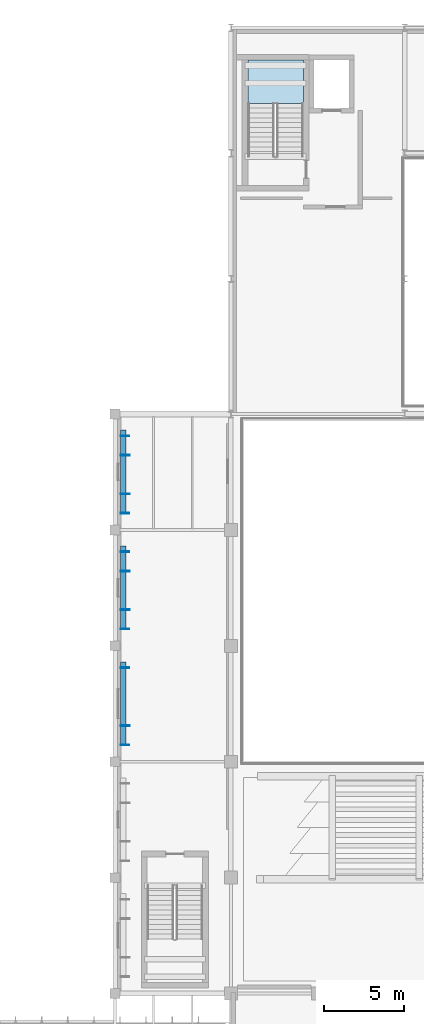
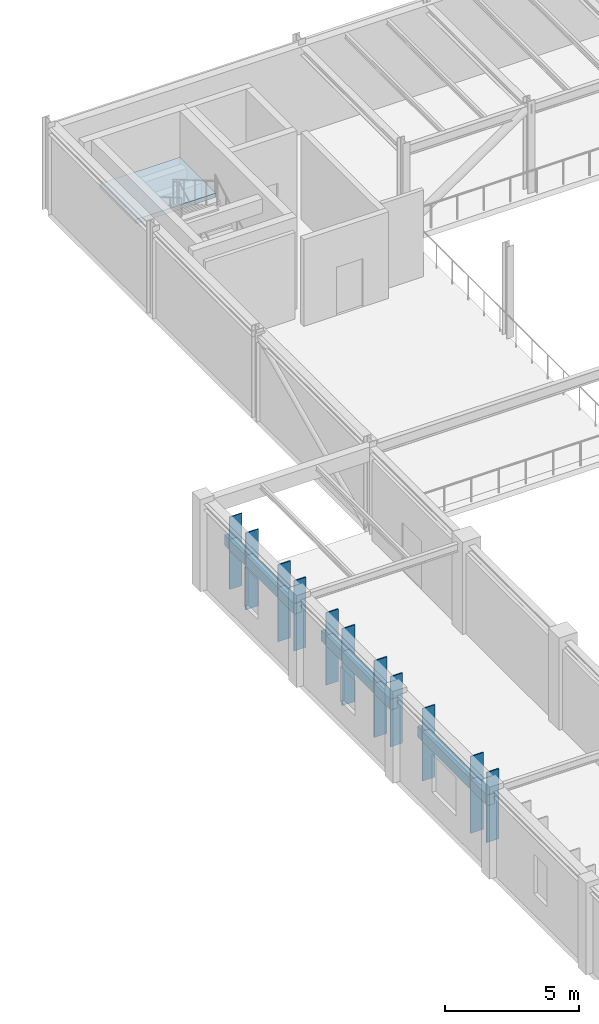
# One storey, part 25 of 104: 14 plates, 1 slab, 1 element without a shape of its own.
"""IFC4 building model written with IfcOpenShell, lengths in metres."""

import ifcopenshell
import ifcopenshell.guid

model = None  # the IFC model being written
_history = None  # IfcOwnerHistory: only IFC2X3 demands one
_inside = {}  # id of a spatial element -> (the spatial element, [elements in it])
_under = {}  # id of a project, library or spatial element -> (it, [spatial elements below it])
_declared = {}  # id of a project -> (the project, [libraries it declares])
_typed = {}  # id of a type object -> (the type object, [elements of that type])
_made_of = {}  # id of a material, layer set ... -> (it, [elements and type objects made of it])


def new_model(schema):
    """Start an empty IFC model of exactly this schema.

    Asked for "IFC4X3", IfcOpenShell would pick the latest addendum, in which some entities
    have other attributes; the version numbers below select the first issue.
    IFC2X3 requires an IfcOwnerHistory on every rooted entity: one is made here for all.
    """
    global model, _history
    if schema == "IFC4X3":
        model = ifcopenshell.file(schema_version=(4, 3, 0, 0))
    else:
        model = ifcopenshell.file(schema=schema)
    _inside.clear()
    _under.clear()
    _declared.clear()
    _typed.clear()
    _made_of.clear()
    _history = None
    if model.schema == "IFC2X3":
        org = make("IfcOrganization", Name="unknown")
        user = make(
            "IfcPersonAndOrganization",
            ThePerson=make("IfcPerson", FamilyName="unknown"),
            TheOrganization=org,
        )
        app = make(
            "IfcApplication",
            ApplicationDeveloper=org,
            Version="unknown",
            ApplicationFullName="unknown",
            ApplicationIdentifier="unknown",
        )
        _history = make(
            "IfcOwnerHistory",
            OwningUser=user,
            OwningApplication=app,
            ChangeAction="ADDED",
            CreationDate=0,
        )
    return model


def make(cls, **values):
    """One entity of the class cls with the attributes given. An attribute that is None is left unset."""
    return model.create_entity(
        cls, **{name: value for name, value in values.items() if value is not None}
    )


def rooted(cls, **values):
    """An entity with a GlobalId (a new one), such as an element, a storey or a relation."""
    return make(cls, GlobalId=ifcopenshell.guid.new(), OwnerHistory=_history, **values)


def si_unit(unit_type, name, prefix=None):
    """IfcSIUnit, for example si_unit("LENGTHUNIT", "METRE", prefix="MILLI")."""
    return make("IfcSIUnit", UnitType=unit_type, Prefix=prefix, Name=name)


def assignment(units):
    """IfcUnitAssignment: the units of a project."""
    return None if units is None else make("IfcUnitAssignment", Units=units)


def point(xyz):
    """IfcCartesianPoint."""
    return None if xyz is None else make("IfcCartesianPoint", Coordinates=xyz)


def direction(xyz):
    """IfcDirection."""
    return None if xyz is None else make("IfcDirection", DirectionRatios=xyz)


def frame(location, z_axis=None, x_axis=None):
    """IfcAxis2Placement3D, a coordinate frame: its origin and axes. An axis left out is left unset."""
    return make(
        "IfcAxis2Placement3D",
        Location=point(location),
        Axis=direction(z_axis),
        RefDirection=direction(x_axis),
    )


def frame_2d(location, x_axis=None):
    """IfcAxis2Placement2D, a coordinate frame in the plane: its origin and x axis."""
    return make(
        "IfcAxis2Placement2D", Location=point(location), RefDirection=direction(x_axis)
    )


def origin():
    """The frame at (0, 0, 0) with its axes left unset."""
    return frame((0.0, 0.0, 0.0))


def origin_2d():
    """The frame at (0, 0) in the plane with its x axis left unset."""
    return frame_2d((0.0, 0.0))


def place(relative_to, where):
    """IfcLocalPlacement: puts the frame where relative to a parent placement (None: the world)."""
    return make(
        "IfcLocalPlacement", PlacementRelTo=relative_to, RelativePlacement=where
    )


def context(
    kind, dimensions, precision=None, world=None, true_north=None, identifier=None
):
    """IfcGeometricRepresentationContext, for example the 3D "Model" context."""
    return make(
        "IfcGeometricRepresentationContext",
        ContextIdentifier=identifier,
        ContextType=kind,
        CoordinateSpaceDimension=dimensions,
        Precision=precision,
        WorldCoordinateSystem=world,
        TrueNorth=true_north,
    )


def subcontext(parent, identifier, kind, view, scale=None):
    """IfcGeometricRepresentationSubContext, for example "Body" below "Model"."""
    return make(
        "IfcGeometricRepresentationSubContext",
        ContextIdentifier=identifier,
        ContextType=kind,
        ParentContext=parent,
        TargetScale=scale,
        TargetView=view,
    )


def project(units=None, contexts=None):
    """IfcProject with its units and contexts."""
    return rooted(
        "IfcProject",
        Name="project",
        RepresentationContexts=contexts,
        UnitsInContext=assignment(units),
    )


def spatial(cls, under=None, at=None, **own):
    """A site, building, storey or space (cls), placed at a placement, below another one or the project."""
    s = rooted(cls, ObjectPlacement=at, **own)
    if under is not None:
        _under.setdefault(under.id(), (under, []))[1].append(s)
    return s


def polyline(points):
    """IfcPolyline through the points."""
    return make("IfcPolyline", Points=[point(p) for p in points])


def profile(cls, at=None, kind="AREA", **sizes):
    """A parametric profile (cls). Its sizes go by their IFC names, for example OverallWidth=200.0."""
    return make(cls, ProfileType=kind, Position=at, **sizes)


def rectangle(**sizes):
    """IfcRectangleProfileDef."""
    return profile("IfcRectangleProfileDef", **sizes)


def outline(outer, holes=None, kind="AREA"):
    """IfcArbitraryClosedProfileDef: a profile drawn as a closed curve; with holes, ...WithVoids."""
    if holes is None:
        return make("IfcArbitraryClosedProfileDef", ProfileType=kind, OuterCurve=outer)
    return make(
        "IfcArbitraryProfileDefWithVoids",
        ProfileType=kind,
        OuterCurve=outer,
        InnerCurves=holes,
    )


def extrude(swept, where, along, depth):
    """IfcExtrudedAreaSolid: the profile swept, set in the frame where, extruded along a direction by depth."""
    return make(
        "IfcExtrudedAreaSolid",
        SweptArea=swept,
        Position=where,
        ExtrudedDirection=direction(along),
        Depth=depth,
    )


def shape(context_of_items, identifier, shape_type, items):
    """IfcShapeRepresentation: the items that make up one representation, for example the "Body"."""
    return make(
        "IfcShapeRepresentation",
        ContextOfItems=context_of_items,
        RepresentationIdentifier=identifier,
        RepresentationType=shape_type,
        Items=items,
    )


def material(Name=None, Category=None):
    """IfcMaterial."""
    return make("IfcMaterial", Name=Name, Category=Category)


def layer(
    of_material, thickness, ventilated=None, Name=None, Category=None, Priority=None
):
    """IfcMaterialLayer: one layer of a wall or slab, of a material (None: an air gap)."""
    return make(
        "IfcMaterialLayer",
        Material=of_material,
        LayerThickness=thickness,
        IsVentilated=ventilated,
        Name=Name,
        Category=Category,
        Priority=Priority,
    )


def layer_set(layers, Name=None):
    """IfcMaterialLayerSet."""
    return make("IfcMaterialLayerSet", MaterialLayers=layers, LayerSetName=Name)


def made_of(thing, what):
    """Note that an element or type object is made of a material, layer set ...; save() writes the relation."""
    if what is not None:
        _made_of.setdefault(what.id(), (what, []))[1].append(thing)
    return thing


def type_object(cls, material=None, **own):
    """A type object (cls), such as IfcWallType, which elements share."""
    return made_of(rooted(cls, **own), material)


def element(
    cls,
    number,
    at=None,
    inside=None,
    cuts=None,
    type_object=None,
    material=None,
    context=None,
    identifier="Body",
    shape_type=None,
    held_by="IfcProductDefinitionShape",
    body=None,
    shapes=None,
    **own,
):
    """One element of the class cls, such as IfcWall. Its Tag is "e" and its number.

    at: its placement. inside: the storey or other place that contains it. cuts: it is an
    opening in that element (IfcRelVoidsElement). A single representation is given by context,
    identifier, shape_type and body (its items); several are given by shapes. held_by: the class
    of the entity that holds the representations. save() writes the other relations.
    """
    e = rooted(cls, Tag="e%d" % number, ObjectPlacement=at, **own)
    if body is not None:
        shapes = [shape(context, identifier, shape_type, body)]
    if shapes is not None:
        e.Representation = make(held_by, Representations=shapes)
    if inside is not None:
        _inside.setdefault(inside.id(), (inside, []))[1].append(e)
    if cuts is not None:
        rooted(
            "IfcRelVoidsElement", RelatingBuildingElement=cuts, RelatedOpeningElement=e
        )
    if type_object is not None:
        _typed.setdefault(type_object.id(), (type_object, []))[1].append(e)
    return made_of(e, material)


def aggregate(whole, parts):
    """IfcRelAggregates: a whole, such as a stair, and the parts it consists of."""
    return rooted("IfcRelAggregates", RelatingObject=whole, RelatedObjects=parts)


def save(model, path):
    """Write the relations noted so far, then the file.

    IfcRelAggregates (storeys below a building ...), IfcRelContainedInSpatialStructure (elements
    in a storey), IfcRelDefinesByType, IfcRelAssociatesMaterial and IfcRelDeclares: one each for
    every whole, place, type object, material and project.
    """
    for whole, parts in _under.values():
        aggregate(whole, parts)
    for where, things in _inside.values():
        rooted(
            "IfcRelContainedInSpatialStructure",
            RelatedElements=things,
            RelatingStructure=where,
        )
    for kind, things in _typed.values():
        rooted("IfcRelDefinesByType", RelatedObjects=things, RelatingType=kind)
    for what, things in _made_of.values():
        rooted("IfcRelAssociatesMaterial", RelatedObjects=things, RelatingMaterial=what)
    for by, libraries in _declared.values():
        rooted("IfcRelDeclares", RelatingContext=by, RelatedDefinitions=libraries)
    model.write(path)


model = new_model("IFC4")

# Units and contexts
model_context = context("Model", 3, precision=1e-05, world=origin(), true_north=direction((0.0, 1.0)))
body_context = subcontext(model_context, "Body", "Model", "MODEL_VIEW")
ifc_project = project(units=[si_unit("LENGTHUNIT", "METRE"), si_unit("AREAUNIT", "SQUARE_METRE"), si_unit("VOLUMEUNIT", "CUBIC_METRE"), si_unit("PLANEANGLEUNIT", "RADIAN"), si_unit("MASSUNIT", "GRAM", prefix="KILO")], contexts=[model_context])

# Site, building, storey
site_placement = place(None, origin())
site = spatial("IfcSite", under=ifc_project, at=site_placement, CompositionType="ELEMENT")
building_placement = place(site_placement, origin())
building = spatial("IfcBuilding", under=site, at=building_placement, Name="Tazoul Stagehouse", CompositionType="ELEMENT")
storey_placement = place(building_placement, frame((0.0, 0.0, 9.0)))
storey = spatial("IfcBuildingStorey", under=building, at=storey_placement, Name="L02", CompositionType="ELEMENT", Elevation=9.0)

# Stair, slab
ifc_material_1 = material(Name="Concrete C40/50", Category="concrete")
stair_type = type_object("IfcStairType", Name="Protected Core Dogleg Stair 3900", PredefinedType="HALF_TURN_STAIR", material=ifc_material_1)
stair_placement = place(storey_placement, origin())
stair = element("IfcStair", 1, at=stair_placement, inside=storey, type_object=stair_type, Name="L02 Core Escape Stair ST-03", PredefinedType="HALF_TURN_STAIR")
ifc_layer_1 = layer(ifc_material_1, 0.179931640625, Name="Concrete C40/50")
ifc_layer_set_1 = layer_set([ifc_layer_1], Name="Concrete C40/50")
slab_type = type_object("IfcSlabType", Name="Core Half-Landing Slab 180", PredefinedType="LANDING", material=ifc_layer_set_1)
slab_placement = place(storey_placement, frame((0.0, 0.0, 1.89990234375)))
slab = element("IfcSlab", 2, at=slab_placement, type_object=slab_type, Name="ST-03 landing 1", PredefinedType="LANDING", context=body_context, shape_type="SweptSolid", body=[
    extrude(outline(polyline([(62.10009765625, 107.10009765625), (62.10009765625, 109.800048828125), (58.64990234375, 109.800048828125), (58.64990234375, 107.10009765625), (62.10009765625, 107.10009765625)])), origin(), (0.0, 0.0, 1.0), 0.2001953125),
])
aggregate(stair, [slab])

# Plates
ifc_material_2 = material(Name="Anodised Bronze Aluminium 6063-T6", Category="aluminium")
ifc_layer_2 = layer(ifc_material_2, 0.52001953125, Name="Anodised Bronze Aluminium 6063-T6")
ifc_layer_set_2 = layer_set([ifc_layer_2], Name="Anodised Bronze Aluminium 6063-T6")
plate_type_1 = type_object("IfcPlateType", Name="Parametric Terracotta-Bronze Solar Fin 520x3200", PredefinedType="USERDEFINED", material=ifc_layer_set_2)
for number, where, z_axis, x_axis, name in (
    (3, (51.010009765625, 67.239990234375, 0.64013671875), (0.0, 0.0, 1.0), (0.0, 1.0, 0.0), "L02 Parametric Solar Fin SFN-18 (WALL-V1-W-L02-S1-B3-01)"),
    (4, (51.010009765625, 74.43994140625, 0.64013671875), (0.0, 0.0, 1.0), (0.0, 1.0, 0.0), "L02 Parametric Solar Fin SFN-18 (WALL-V1-W-L02-S1-B4-01)"),
    (5, (51.010009765625, 81.639892578125, 0.64013671875), (0.0, 0.0, 1.0), (0.0, 1.0, 0.0), "L02 Parametric Solar Fin SFN-18 (WALL-V1-W-L02-S1-B5-01)"),
):
    element("IfcPlate", number, at=place(storey_placement, frame(where, z_axis=z_axis, x_axis=x_axis)), inside=storey, type_object=plate_type_1, Name=name, ObjectType="SOLAR FIN", PredefinedType="USERDEFINED", context=body_context, shape_type="SweptSolid", body=[
        extrude(rectangle(XDim=0.044921875, YDim=0.52001953125, at=origin_2d()), origin(), (0.0, 0.0, 1.0), 3.199951171875),
    ])
ifc_layer_3 = layer(ifc_material_2, 0.530029296875, Name="Anodised Bronze Aluminium 6063-T6")
ifc_layer_set_3 = layer_set([ifc_layer_3], Name="Anodised Bronze Aluminium 6063-T6")
plate_type_2 = type_object("IfcPlateType", Name="Parametric Terracotta-Bronze Solar Fin 530x3300", PredefinedType="USERDEFINED", material=ifc_layer_set_3)
for number, where, z_axis, x_axis, name in (
    (6, (51.014892578125, 72.0400390625, 0.5400390625), (0.0, 0.0, 1.0), (0.0, 1.0, 0.0), "L02 Parametric Solar Fin SFN-19 (WALL-V1-W-L02-S1-B3-05)"),
    (7, (51.014892578125, 79.239990234375, 0.5400390625), (0.0, 0.0, 1.0), (0.0, 1.0, 0.0), "L02 Parametric Solar Fin SFN-19 (WALL-V1-W-L02-S1-B4-05)"),
    (8, (51.014892578125, 86.43994140625, 0.5400390625), (0.0, 0.0, 1.0), (0.0, 1.0, 0.0), "L02 Parametric Solar Fin SFN-19 (WALL-V1-W-L02-S1-B5-05)"),
):
    element("IfcPlate", number, at=place(storey_placement, frame(where, z_axis=z_axis, x_axis=x_axis)), inside=storey, type_object=plate_type_2, Name=name, ObjectType="SOLAR FIN", PredefinedType="USERDEFINED", context=body_context, shape_type="SweptSolid", body=[
        extrude(rectangle(XDim=0.044921875, YDim=0.530029296875, at=origin_2d()), origin(), (0.0, 0.0, 1.0), 3.300048828125),
    ])
ifc_layer_4 = layer(ifc_material_2, 0.550048828125, Name="Anodised Bronze Aluminium 6063-T6")
ifc_layer_set_4 = layer_set([ifc_layer_4], Name="Anodised Bronze Aluminium 6063-T6")
plate_type_3 = type_object("IfcPlateType", Name="Parametric Terracotta-Bronze Solar Fin 550x3500", PredefinedType="USERDEFINED", material=ifc_layer_set_4)
for number, where, z_axis, x_axis, name in (
    (9, (51.02490234375, 68.43994140625, 0.340087890625), (0.0, 0.0, 1.0), (0.0, 1.0, 0.0), "L02 Parametric Solar Fin SFN-21 (WALL-V1-W-L02-S1-B3-02)"),
    (10, (51.02490234375, 75.639892578125, 0.340087890625), (0.0, 0.0, 1.0), (0.0, 1.0, 0.0), "L02 Parametric Solar Fin SFN-21 (WALL-V1-W-L02-S1-B4-02)"),
    (11, (51.02490234375, 78.0400390625, 0.340087890625), (0.0, 0.0, 1.0), (0.0, 1.0, 0.0), "L02 Parametric Solar Fin SFN-21 (WALL-V1-W-L02-S1-B4-04)"),
    (12, (51.02490234375, 82.840087890625, 0.340087890625), (0.0, 0.0, 1.0), (0.0, 1.0, 0.0), "L02 Parametric Solar Fin SFN-21 (WALL-V1-W-L02-S1-B5-02)"),
    (13, (51.02490234375, 85.239990234375, 0.340087890625), (0.0, 0.0, 1.0), (0.0, 1.0, 0.0), "L02 Parametric Solar Fin SFN-21 (WALL-V1-W-L02-S1-B5-04)"),
):
    element("IfcPlate", number, at=place(storey_placement, frame(where, z_axis=z_axis, x_axis=x_axis)), inside=storey, type_object=plate_type_3, Name=name, ObjectType="SOLAR FIN", PredefinedType="USERDEFINED", context=body_context, shape_type="SweptSolid", body=[
        extrude(rectangle(XDim=0.044921875, YDim=0.550048828125, at=origin_2d()), origin(), (0.0, 0.0, 1.0), 3.5),
    ])
ifc_layer_5 = layer(ifc_material_2, 0.320068359375, Name="Anodised Bronze Aluminium 6063-T6")
ifc_layer_set_5 = layer_set([ifc_layer_5], Name="Anodised Bronze Aluminium 6063-T6")
plate_type_4 = type_object("IfcPlateType", Name="Sculpted Facade Spandrel Ribbon 5200x480", PredefinedType="USERDEFINED", material=ifc_layer_set_5)
for number, where, z_axis, x_axis, name in (
    (14, (50.909912109375, 69.800048828125, 2.333984375), (0.0, 0.0, 1.0), (0.0, 1.0, 0.0), "L02 Sculpted Facade Spandrel Ribbon FRB-07 (WALL-V1-W-L02-S1-B3)"),
    (15, (50.909912109375, 77.0, 2.333984375), (0.0, 0.0, 1.0), (0.0, 1.0, 0.0), "L02 Sculpted Facade Spandrel Ribbon FRB-07 (WALL-V1-W-L02-S1-B4)"),
    (16, (50.909912109375, 84.199951171875, 2.333984375), (0.0, 0.0, 1.0), (0.0, 1.0, 0.0), "L02 Sculpted Facade Spandrel Ribbon FRB-07 (WALL-V1-W-L02-S1-B5)"),
):
    element("IfcPlate", number, at=place(storey_placement, frame(where, z_axis=z_axis, x_axis=x_axis)), inside=storey, type_object=plate_type_4, Name=name, ObjectType="FACADE RIBBON", PredefinedType="USERDEFINED", context=body_context, shape_type="SweptSolid", body=[
        extrude(rectangle(XDim=5.199951171875, YDim=0.320068359375, at=origin_2d()), origin(), (0.0, 0.0, 1.0), 0.47998046875),
    ])

save(model, "model.ifc")
